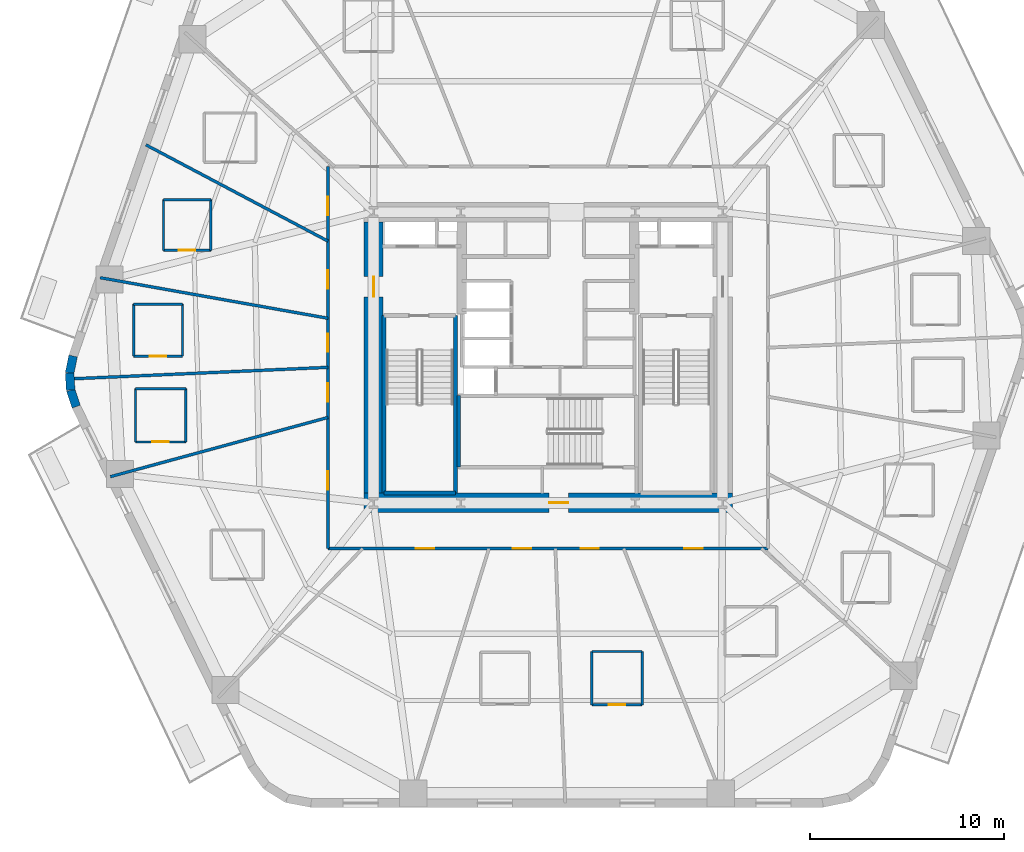
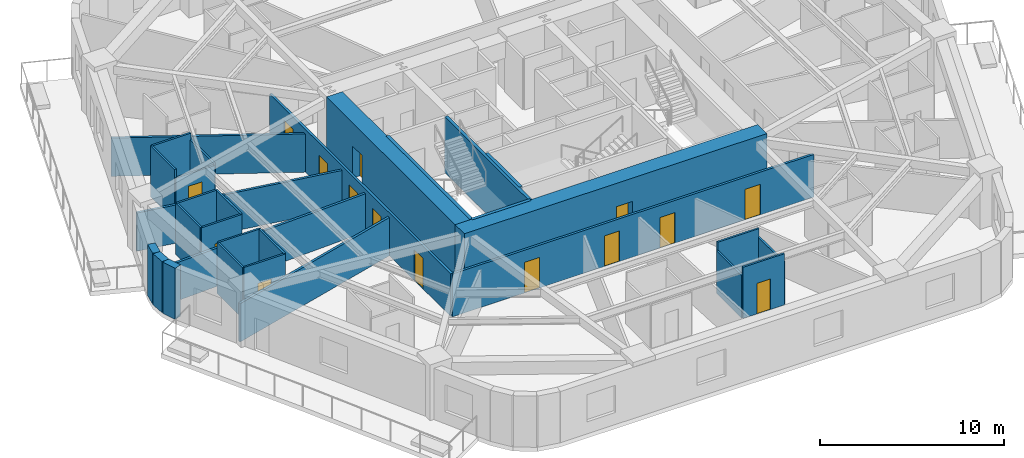
# One storey, part 3 of 10: 31 walls, 15 doors, 15 openings.
"""IFC4 building model written with IfcOpenShell, lengths in metres."""

from ifc_helpers import new_model, si_unit, direction, frame, frame_2d, origin, place, context, subcontext, project, spatial, rectangle, extrude, material, layer, layer_set, type_object, element, fill, save


model = new_model("IFC4")

# Units and contexts
model_context = context("Model", 3, precision=1e-05, world=origin(), true_north=direction((0.0, 1.0)))
body_context = subcontext(model_context, "Body", "Model", "MODEL_VIEW")
ifc_project = project(units=[si_unit("LENGTHUNIT", "METRE"), si_unit("AREAUNIT", "SQUARE_METRE"), si_unit("VOLUMEUNIT", "CUBIC_METRE"), si_unit("PLANEANGLEUNIT", "RADIAN"), si_unit("MASSUNIT", "GRAM", prefix="KILO")], contexts=[model_context])

# Site, building, storey
site_placement = place(None, origin())
site = spatial("IfcSite", under=ifc_project, at=site_placement, CompositionType="ELEMENT")
building_placement = place(site_placement, origin())
building = spatial("IfcBuilding", under=site, at=building_placement, Name="Kilnhurst Terrace Hotel", CompositionType="ELEMENT")
storey_placement = place(building_placement, frame((0.0, 0.0, 49.0)))
storey = spatial("IfcBuildingStorey", under=building, at=storey_placement, Name="L10", CompositionType="ELEMENT", Elevation=49.0)

# Walls
ifc_material_1 = material(Name="Precast concrete C40/50", Category="concrete")
ifc_layer_1 = layer(ifc_material_1, 0.449951171875, Name="Precast concrete C40/50")
ifc_layer_set_1 = layer_set([ifc_layer_1], Name="Precast concrete C40/50")
wall_type_1 = type_object("IfcWallType", Name="WL-BRK-450", PredefinedType="SOLIDWALL", material=ifc_layer_set_1)
wall_1_placement = place(storey_placement, frame((-24.49560546875, 0.07666015625, 0.0), z_axis=(0.0, 0.0, 1.0), x_axis=(-0.199570594521, -0.979883451132, 0.0)))
element("IfcWall", 1, at=wall_1_placement, inside=storey, type_object=wall_type_1, Name="L10 Rounded Corner Brick Wall C6.1", PredefinedType="SOLIDWALL", context=body_context, shape_type="SweptSolid", body=[
    extrude(rectangle(XDim=0.896728515625, YDim=0.449951171875, at=frame_2d((0.4482421875, 0.0))), origin(), (0.0, 0.0, 1.0), 3.39990234375),
])
wall_2_placement = place(storey_placement, frame((-24.674560546875, -0.802001953125, 0.0), z_axis=(0.0, 0.0, 1.0), x_axis=(0.061188874166, -0.998126205286, 0.0)))
element("IfcWall", 2, at=wall_2_placement, inside=storey, type_object=wall_type_1, Name="L10 Rounded Corner Brick Wall C6.2", PredefinedType="SOLIDWALL", context=body_context, shape_type="SweptSolid", body=[
    extrude(rectangle(XDim=0.8818359375, YDim=0.449951171875, at=frame_2d((0.44091796875, 0.0))), origin(), (0.0, 0.0, 1.0), 3.39990234375),
])
wall_3_placement = place(storey_placement, frame((-24.62060546875, -1.68212890625, 0.0), z_axis=(0.0, 0.0, 1.0), x_axis=(0.317697451681, -0.948192137278, 0.0)))
element("IfcWall", 3, at=wall_3_placement, inside=storey, type_object=wall_type_1, Name="L10 Rounded Corner Brick Wall C6.3", PredefinedType="SOLIDWALL", context=body_context, shape_type="SweptSolid", body=[
    extrude(rectangle(XDim=0.896728515625, YDim=0.449951171875, at=frame_2d((0.4482421875, 0.0))), origin(), (0.0, 0.0, 1.0), 3.39990234375),
])

# Wall, openings, doors
ifc_material_2 = material(Name="Acoustic Double-Gypsum Corridor Partition Assembly")
ifc_layer_2 = layer(ifc_material_2, 0.14990234375, Name="Acoustic Double-Gypsum Corridor Partition Assembly")
ifc_layer_set_2 = layer_set([ifc_layer_2], Name="Acoustic Double-Gypsum Corridor Partition Assembly")
wall_type_2 = type_object("IfcWallType", Name="WL-COR-150", PredefinedType="PARTITIONING", material=ifc_layer_set_2)
wall_4_placement = place(storey_placement, frame((-11.35009765625, -9.85009765625, 0.0), z_axis=(0.0, 0.0, 1.0), x_axis=(0.0, 1.0, 0.0)))
wall_4 = element("IfcWall", 4, at=wall_4_placement, inside=storey, type_object=wall_type_2, Name="L10 Interior Wall WL-L10-COR-01", PredefinedType="PARTITIONING", context=body_context, shape_type="SweptSolid", body=[
    extrude(rectangle(XDim=19.7001953125, YDim=0.14990234375, at=frame_2d((9.85009765625, 0.0))), origin(), (0.0, 0.0, 1.0), 2.840087890625),
])
opening_1_placement = place(wall_4_placement, frame((17.180908203125, 0.0, 0.0)))
opening_1 = element("IfcOpeningElement", 5, at=opening_1_placement, cuts=wall_4, Name="Opening D-60B", PredefinedType="OPENING", context=body_context, shape_type="SweptSolid", body=[
    extrude(rectangle(XDim=0.949951171875, YDim=2.030029296875, at=frame_2d((0.47509765625, 1.01513671875))), frame((0.0, 0.0849609375, 0.0), z_axis=(0.0, -1.0, 0.0), x_axis=(1.0, 0.0, 0.0)), (0.0, 0.0, 1.0), 0.169921875),
])
opening_2_placement = place(wall_4_placement, frame((13.403076171875, 0.0, 0.0)))
opening_2 = element("IfcOpeningElement", 6, at=opening_2_placement, cuts=wall_4, Name="Opening D-60B", PredefinedType="OPENING", context=body_context, shape_type="SweptSolid", body=[
    extrude(rectangle(XDim=0.949951171875, YDim=2.030029296875, at=frame_2d((0.47509765625, 1.01513671875))), frame((0.0, 0.0849609375, 0.0), z_axis=(0.0, -1.0, 0.0), x_axis=(1.0, 0.0, 0.0)), (0.0, 0.0, 1.0), 0.169921875),
])
opening_3_placement = place(wall_4_placement, frame((10.134033203125, 0.0, 0.0)))
opening_3 = element("IfcOpeningElement", 7, at=opening_3_placement, cuts=wall_4, Name="Opening D-60B", PredefinedType="OPENING", context=body_context, shape_type="SweptSolid", body=[
    extrude(rectangle(XDim=0.949951171875, YDim=2.030029296875, at=frame_2d((0.47509765625, 1.01513671875))), frame((0.0, 0.0849609375, 0.0), z_axis=(0.0, -1.0, 0.0), x_axis=(1.0, 0.0, 0.0)), (0.0, 0.0, 1.0), 0.169921875),
])
opening_4_placement = place(wall_4_placement, frame((7.571044921875, 0.0, 0.0)))
opening_4 = element("IfcOpeningElement", 8, at=opening_4_placement, cuts=wall_4, Name="Opening D-60B", PredefinedType="OPENING", context=body_context, shape_type="SweptSolid", body=[
    extrude(rectangle(XDim=0.949951171875, YDim=2.030029296875, at=frame_2d((0.47509765625, 1.01513671875))), frame((0.0, 0.0849609375, 0.0), z_axis=(0.0, -1.0, 0.0), x_axis=(1.0, 0.0, 0.0)), (0.0, 0.0, 1.0), 0.169921875),
])
opening_5_placement = place(wall_4_placement, frame((3.02392578125, 0.0, 0.0)))
opening_5 = element("IfcOpeningElement", 9, at=opening_5_placement, cuts=wall_4, Name="Opening D-60B", PredefinedType="OPENING", context=body_context, shape_type="SweptSolid", body=[
    extrude(rectangle(XDim=0.949951171875, YDim=2.030029296875, at=frame_2d((0.47509765625, 1.01513671875))), frame((0.0, 0.0849609375, 0.0), z_axis=(0.0, -1.0, 0.0), x_axis=(1.0, 0.0, 0.0)), (0.0, 0.0, 1.0), 0.169921875),
])
ifc_material_3 = material(Name="Acoustic Walnut Veneer Solid-Core Fire Door")
door_type_1 = type_object("IfcDoorType", Name="DR-FD60-950", OperationType="NOTDEFINED", PredefinedType="DOOR", material=ifc_material_3)
door_1_placement = place(opening_1_placement, origin())
door_1 = element("IfcDoor", 10, at=door_1_placement, inside=storey, type_object=door_type_1, Name="L10 Guest Room Entry Door 8", OperationType="SINGLE_SWING_RIGHT", OverallHeight=2.030029296875, OverallWidth=0.949951171875, PredefinedType="DOOR", context=body_context, shape_type="SweptSolid", body=[
    extrude(rectangle(XDim=0.949951171875, YDim=2.030029296875, at=frame_2d((0.47509765625, 1.01513671875))), frame((0.0, 0.02490234375, 0.0), z_axis=(0.0, -1.0, 0.0), x_axis=(1.0, 0.0, 0.0)), (0.0, 0.0, 1.0), 0.050048828125),
])
fill(opening_1, door_1)
door_2_placement = place(opening_2_placement, origin())
door_2 = element("IfcDoor", 11, at=door_2_placement, inside=storey, type_object=door_type_1, Name="L10 Guest Room Entry Door 9", OperationType="SINGLE_SWING_LEFT", OverallHeight=2.030029296875, OverallWidth=0.949951171875, PredefinedType="DOOR", context=body_context, shape_type="SweptSolid", body=[
    extrude(rectangle(XDim=0.949951171875, YDim=2.030029296875, at=frame_2d((0.47509765625, 1.01513671875))), frame((0.0, 0.02490234375, 0.0), z_axis=(0.0, -1.0, 0.0), x_axis=(1.0, 0.0, 0.0)), (0.0, 0.0, 1.0), 0.050048828125),
])
fill(opening_2, door_2)
door_3_placement = place(opening_3_placement, origin())
door_3 = element("IfcDoor", 12, at=door_3_placement, inside=storey, type_object=door_type_1, Name="L10 Guest Room Entry Door 10", OperationType="SINGLE_SWING_RIGHT", OverallHeight=2.030029296875, OverallWidth=0.949951171875, PredefinedType="DOOR", context=body_context, shape_type="SweptSolid", body=[
    extrude(rectangle(XDim=0.949951171875, YDim=2.030029296875, at=frame_2d((0.47509765625, 1.01513671875))), frame((0.0, 0.02490234375, 0.0), z_axis=(0.0, -1.0, 0.0), x_axis=(1.0, 0.0, 0.0)), (0.0, 0.0, 1.0), 0.050048828125),
])
fill(opening_3, door_3)
door_4_placement = place(opening_4_placement, origin())
door_4 = element("IfcDoor", 13, at=door_4_placement, inside=storey, type_object=door_type_1, Name="L10 Guest Room Entry Door 11", OperationType="SINGLE_SWING_LEFT", OverallHeight=2.030029296875, OverallWidth=0.949951171875, PredefinedType="DOOR", context=body_context, shape_type="SweptSolid", body=[
    extrude(rectangle(XDim=0.949951171875, YDim=2.030029296875, at=frame_2d((0.47509765625, 1.01513671875))), frame((0.0, 0.02490234375, 0.0), z_axis=(0.0, -1.0, 0.0), x_axis=(1.0, 0.0, 0.0)), (0.0, 0.0, 1.0), 0.050048828125),
])
fill(opening_4, door_4)
door_5_placement = place(opening_5_placement, origin())
door_5 = element("IfcDoor", 14, at=door_5_placement, inside=storey, type_object=door_type_1, Name="L10 Executive Suite Entry Door 12", OperationType="SINGLE_SWING_RIGHT", OverallHeight=2.030029296875, OverallWidth=0.949951171875, PredefinedType="DOOR", context=body_context, shape_type="SweptSolid", body=[
    extrude(rectangle(XDim=0.949951171875, YDim=2.030029296875, at=frame_2d((0.47509765625, 1.01513671875))), frame((0.0, 0.02490234375, 0.0), z_axis=(0.0, -1.0, 0.0), x_axis=(1.0, 0.0, 0.0)), (0.0, 0.0, 1.0), 0.050048828125),
])
fill(opening_5, door_5)

wall_5_placement = place(storey_placement, frame((11.35009765625, -9.85009765625, 0.0), z_axis=(0.0, 0.0, 1.0), x_axis=(-1.0, 0.0, 0.0)))
wall_5 = element("IfcWall", 15, at=wall_5_placement, inside=storey, type_object=wall_type_2, Name="L10 Interior Wall WL-L10-COR-04", PredefinedType="PARTITIONING", context=body_context, shape_type="SweptSolid", body=[
    extrude(rectangle(XDim=22.7001953125, YDim=0.14990234375, at=frame_2d((11.35009765625, 0.0))), origin(), (0.0, 0.0, 1.0), 2.840087890625),
])
opening_6_placement = place(wall_5_placement, frame((17.22509765625, 0.0, 0.0)))
opening_6 = element("IfcOpeningElement", 16, at=opening_6_placement, cuts=wall_5, Name="Opening D-60B", PredefinedType="OPENING", context=body_context, shape_type="SweptSolid", body=[
    extrude(rectangle(XDim=0.949951171875, YDim=2.030029296875, at=frame_2d((0.47509765625, 1.01513671875))), frame((0.0, 0.0849609375, 0.0), z_axis=(0.0, -1.0, 0.0), x_axis=(1.0, 0.0, 0.0)), (0.0, 0.0, 1.0), 0.169921875),
])
opening_7_placement = place(wall_5_placement, frame((12.214111328125, 0.0, 0.0)))
opening_7 = element("IfcOpeningElement", 17, at=opening_7_placement, cuts=wall_5, Name="Opening D-60B", PredefinedType="OPENING", context=body_context, shape_type="SweptSolid", body=[
    extrude(rectangle(XDim=0.949951171875, YDim=2.030029296875, at=frame_2d((0.47509765625, 1.01513671875))), frame((0.0, 0.0849609375, 0.0), z_axis=(0.0, -1.0, 0.0), x_axis=(1.0, 0.0, 0.0)), (0.0, 0.0, 1.0), 0.169921875),
])
opening_8_placement = place(wall_5_placement, frame((8.72509765625, 0.0, 0.0)))
opening_8 = element("IfcOpeningElement", 18, at=opening_8_placement, cuts=wall_5, Name="Opening D-60B", PredefinedType="OPENING", context=body_context, shape_type="SweptSolid", body=[
    extrude(rectangle(XDim=0.949951171875, YDim=2.030029296875, at=frame_2d((0.47509765625, 1.01513671875))), frame((0.0, 0.0849609375, 0.0), z_axis=(0.0, -1.0, 0.0), x_axis=(1.0, 0.0, 0.0)), (0.0, 0.0, 1.0), 0.169921875),
])
opening_9_placement = place(wall_5_placement, frame((3.368896484375, 0.0, 0.0)))
opening_9 = element("IfcOpeningElement", 19, at=opening_9_placement, cuts=wall_5, Name="Opening D-60B", PredefinedType="OPENING", context=body_context, shape_type="SweptSolid", body=[
    extrude(rectangle(XDim=0.949951171875, YDim=2.030029296875, at=frame_2d((0.47509765625, 1.01513671875))), frame((0.0, 0.0849609375, 0.0), z_axis=(0.0, -1.0, 0.0), x_axis=(1.0, 0.0, 0.0)), (0.0, 0.0, 1.0), 0.169921875),
])
door_6_placement = place(opening_6_placement, origin())
door_6 = element("IfcDoor", 20, at=door_6_placement, inside=storey, type_object=door_type_1, Name="L10 Private Dining Salon Door", OperationType="SINGLE_SWING_LEFT", OverallHeight=2.030029296875, OverallWidth=0.949951171875, PredefinedType="DOOR", context=body_context, shape_type="SweptSolid", body=[
    extrude(rectangle(XDim=0.949951171875, YDim=2.030029296875, at=frame_2d((0.47509765625, 1.01513671875))), frame((0.0, 0.02490234375, 0.0), z_axis=(0.0, -1.0, 0.0), x_axis=(1.0, 0.0, 0.0)), (0.0, 0.0, 1.0), 0.050048828125),
])
fill(opening_6, door_6)
door_7_placement = place(opening_7_placement, origin())
door_7 = element("IfcDoor", 21, at=door_7_placement, inside=storey, type_object=door_type_1, Name="L10 Guest Room Entry Door 14", OperationType="SINGLE_SWING_RIGHT", OverallHeight=2.030029296875, OverallWidth=0.949951171875, PredefinedType="DOOR", context=body_context, shape_type="SweptSolid", body=[
    extrude(rectangle(XDim=0.949951171875, YDim=2.030029296875, at=frame_2d((0.47509765625, 1.01513671875))), frame((0.0, 0.02490234375, 0.0), z_axis=(0.0, -1.0, 0.0), x_axis=(1.0, 0.0, 0.0)), (0.0, 0.0, 1.0), 0.050048828125),
])
fill(opening_7, door_7)
door_8_placement = place(opening_8_placement, origin())
door_8 = element("IfcDoor", 22, at=door_8_placement, inside=storey, type_object=door_type_1, Name="L10 Guest Room Entry Door 15", OperationType="SINGLE_SWING_LEFT", OverallHeight=2.030029296875, OverallWidth=0.949951171875, PredefinedType="DOOR", context=body_context, shape_type="SweptSolid", body=[
    extrude(rectangle(XDim=0.949951171875, YDim=2.030029296875, at=frame_2d((0.47509765625, 1.01513671875))), frame((0.0, 0.02490234375, 0.0), z_axis=(0.0, -1.0, 0.0), x_axis=(1.0, 0.0, 0.0)), (0.0, 0.0, 1.0), 0.050048828125),
])
fill(opening_8, door_8)
door_9_placement = place(opening_9_placement, origin())
door_9 = element("IfcDoor", 23, at=door_9_placement, inside=storey, type_object=door_type_1, Name="L10 Executive Suite Entry Door 16", OperationType="SINGLE_SWING_RIGHT", OverallHeight=2.030029296875, OverallWidth=0.949951171875, PredefinedType="DOOR", context=body_context, shape_type="SweptSolid", body=[
    extrude(rectangle(XDim=0.949951171875, YDim=2.030029296875, at=frame_2d((0.47509765625, 1.01513671875))), frame((0.0, 0.02490234375, 0.0), z_axis=(0.0, -1.0, 0.0), x_axis=(1.0, 0.0, 0.0)), (0.0, 0.0, 1.0), 0.050048828125),
])
fill(opening_9, door_9)

# Wall, opening, door
ifc_material_4 = material(Name="Concrete C80/95", Category="concrete")
ifc_layer_3 = layer(ifc_material_4, 1.0, Name="Concrete C80/95")
ifc_layer_set_3 = layer_set([ifc_layer_3], Name="Concrete C80/95")
wall_type_3 = type_object("IfcWallType", Name="WL-CORE-1000", PredefinedType="SHEAR", material=ifc_layer_set_3)
wall_6_placement = place(storey_placement, frame((-9.5, -7.5, 0.0), z_axis=(0.0, 0.0, 1.0), x_axis=(1.0, 0.0, 0.0)))
wall_6 = element("IfcWall", 24, at=wall_6_placement, inside=storey, type_object=wall_type_3, Name="L10 Core South Shear Wall", PredefinedType="SHEAR", context=body_context, shape_type="SweptSolid", body=[
    extrude(rectangle(XDim=19.0, YDim=1.0, at=frame_2d((9.5, 0.0))), origin(), (0.0, 0.0, 1.0), 3.699951171875),
])
opening_10_placement = place(wall_6_placement, frame((9.550048828125, 0.0, 0.0)))
opening_10 = element("IfcOpeningElement", 25, at=opening_10_placement, cuts=wall_6, Name="Opening D-90B", PredefinedType="OPENING", context=body_context, shape_type="SweptSolid", body=[
    extrude(rectangle(XDim=1.0, YDim=2.14990234375, at=frame_2d((0.5, 1.074951171875))), frame((0.0, 0.510009765625, 0.0), z_axis=(0.0, -1.0, 0.0), x_axis=(1.0, 0.0, 0.0)), (0.0, 0.0, 1.0), 1.02001953125),
])
ifc_material_5 = material(Name="Painted Hollow Metal Steel ASTM A36 Fire Door", Category="steel")
door_type_2 = type_object("IfcDoorType", Name="DR-FD90-1000", OperationType="NOTDEFINED", PredefinedType="DOOR", material=ifc_material_5)
door_10_placement = place(opening_10_placement, origin())
door_10 = element("IfcDoor", 26, at=door_10_placement, inside=storey, type_object=door_type_2, Name="L10 Stair ST-3 Corridor Door", OperationType="SINGLE_SWING_RIGHT", OverallHeight=2.14990234375, OverallWidth=1.0, PredefinedType="DOOR", context=body_context, shape_type="SweptSolid", body=[
    extrude(rectangle(XDim=1.0, YDim=2.14990234375, at=frame_2d((0.5, 1.074951171875))), frame((0.0, 0.02490234375, 0.0), z_axis=(0.0, -1.0, 0.0), x_axis=(1.0, 0.0, 0.0)), (0.0, 0.0, 1.0), 0.050048828125),
])
fill(opening_10, door_10)

wall_7_placement = place(storey_placement, frame((-9.0, -7.0, 0.0), z_axis=(0.0, 0.0, 1.0), x_axis=(0.0, 1.0, 0.0)))
wall_7 = element("IfcWall", 27, at=wall_7_placement, inside=storey, type_object=wall_type_3, Name="L10 Core West Shear Wall", PredefinedType="SHEAR", context=body_context, shape_type="SweptSolid", body=[
    extrude(rectangle(XDim=14.0, YDim=1.0, at=frame_2d((7.0, 0.0))), origin(), (0.0, 0.0, 1.0), 3.699951171875),
])
opening_11_placement = place(wall_7_placement, frame((10.125, 0.0, 0.0)))
opening_11 = element("IfcOpeningElement", 28, at=opening_11_placement, cuts=wall_7, Name="Opening D-90A", PredefinedType="OPENING", context=body_context, shape_type="SweptSolid", body=[
    extrude(rectangle(XDim=1.050048828125, YDim=2.14990234375, at=frame_2d((0.52490234375, 1.074951171875))), frame((0.0, 0.510009765625, 0.0), z_axis=(0.0, -1.0, 0.0), x_axis=(1.0, 0.0, 0.0)), (0.0, 0.0, 1.0), 1.02001953125),
])
door_type_3 = type_object("IfcDoorType", Name="DR-FD90-1050", OperationType="NOTDEFINED", PredefinedType="DOOR", material=ifc_material_5)
door_11_placement = place(opening_11_placement, origin())
door_11 = element("IfcDoor", 29, at=door_11_placement, inside=storey, type_object=door_type_3, Name="L10 West Firefighting Lobby Door", OperationType="SINGLE_SWING_RIGHT", OverallHeight=2.14990234375, OverallWidth=1.050048828125, PredefinedType="DOOR", context=body_context, shape_type="SweptSolid", body=[
    extrude(rectangle(XDim=1.050048828125, YDim=2.14990234375, at=frame_2d((0.52490234375, 1.074951171875))), frame((0.0, 0.02490234375, 0.0), z_axis=(0.0, -1.0, 0.0), x_axis=(1.0, 0.0, 0.0)), (0.0, 0.0, 1.0), 0.050048828125),
])
fill(opening_11, door_11)

# Walls
ifc_material_6 = material(Name="STC-58 Acoustic Twin-Frame Guestroom Demising Partition")
ifc_layer_4 = layer(ifc_material_6, 0.14990234375, Name="STC-58 Acoustic Twin-Frame Guestroom Demising Partition")
ifc_layer_set_4 = layer_set([ifc_layer_4], Name="STC-58 Acoustic Twin-Frame Guestroom Demising Partition")
wall_type_4 = type_object("IfcWallType", Name="WL-DEM-150", PredefinedType="PARTITIONING", material=ifc_layer_set_4)
wall_8_placement = place(storey_placement, frame((-11.35009765625, 6.00146484375, 0.0), z_axis=(0.0, 0.0, 1.0), x_axis=(-0.884022077319, 0.467445148453, 0.0)))
element("IfcWall", 30, at=wall_8_placement, inside=storey, type_object=wall_type_4, Name="L10 Interior Wall WL-L10-DEM-MID05-09-1", PredefinedType="PARTITIONING", context=body_context, shape_type="SweptSolid", body=[
    extrude(rectangle(XDim=10.621337890625, YDim=0.14990234375, at=frame_2d((5.310546875, 0.0))), origin(), (0.0, 0.0, 1.0), 2.5400390625),
])
wall_9_placement = place(storey_placement, frame((-11.35009765625, 2.022705078125, 0.0), z_axis=(0.0, 0.0, 1.0), x_axis=(-0.984493741877, 0.17541970301, 0.0)))
element("IfcWall", 31, at=wall_9_placement, inside=storey, type_object=wall_type_4, Name="L10 Interior Wall WL-L10-DEM-COL06-10-1", PredefinedType="PARTITIONING", context=body_context, shape_type="SweptSolid", body=[
    extrude(rectangle(XDim=11.93701171875, YDim=0.14990234375, at=frame_2d((5.968505859375, 0.0))), origin(), (0.0, 0.0, 1.0), 2.5400390625),
])
wall_10_placement = place(storey_placement, frame((-11.35009765625, -0.50830078125, 0.0), z_axis=(0.0, 0.0, 1.0), x_axis=(-0.998998237556, -0.044749540337, 0.0)))
element("IfcWall", 32, at=wall_10_placement, inside=storey, type_object=wall_type_4, Name="L10 Interior Wall WL-L10-DEM-MID06-11-1", PredefinedType="PARTITIONING", context=body_context, shape_type="SweptSolid", body=[
    extrude(rectangle(XDim=13.1591796875, YDim=0.14990234375, at=frame_2d((6.57958984375, 0.0))), origin(), (0.0, 0.0, 1.0), 2.5400390625),
])
wall_11_placement = place(storey_placement, frame((-11.35009765625, -3.0908203125, 0.0), z_axis=(0.0, 0.0, 1.0), x_axis=(-0.964859685283, -0.262765651704, 0.0)))
element("IfcWall", 33, at=wall_11_placement, inside=storey, type_object=wall_type_4, Name="L10 Interior Wall WL-L10-DEM-COL07-12-1", PredefinedType="PARTITIONING", context=body_context, shape_type="SweptSolid", body=[
    extrude(rectangle(XDim=11.62890625, YDim=0.14990234375, at=frame_2d((5.814453125, 0.0))), origin(), (0.0, 0.0, 1.0), 2.5400390625),
])

# Wall, opening, door
ifc_material_7 = material(Name="120 mm Moisture-Resistant Tile-Backed Bathroom Partition")
ifc_layer_5 = layer(ifc_material_7, 0.1201171875, Name="120 mm Moisture-Resistant Tile-Backed Bathroom Partition")
ifc_layer_set_5 = layer_set([ifc_layer_5], Name="120 mm Moisture-Resistant Tile-Backed Bathroom Partition")
wall_type_5 = type_object("IfcWallType", Name="WL-PART-120", PredefinedType="PARTITIONING", material=ifc_layer_set_5)
wall_12_placement = place(storey_placement, frame((-19.833984375, 5.528076171875, 0.0), z_axis=(0.0, 0.0, 1.0), x_axis=(1.0, 0.0, 0.0)))
wall_12 = element("IfcWall", 34, at=wall_12_placement, inside=storey, type_object=wall_type_5, Name="L10 Interior Wall WL-L10-BTH-09-1", PredefinedType="PARTITIONING", context=body_context, shape_type="SweptSolid", body=[
    extrude(rectangle(XDim=2.43994140625, YDim=0.1201171875, at=frame_2d((1.219970703125, 0.0))), origin(), (0.0, 0.0, 1.0), 2.840087890625),
])
opening_12_placement = place(wall_12_placement, frame((0.794921875, 0.0, 0.0)))
opening_12 = element("IfcOpeningElement", 35, at=opening_12_placement, cuts=wall_12, Name="Opening D-08A", PredefinedType="OPENING", context=body_context, shape_type="SweptSolid", body=[
    extrude(rectangle(XDim=0.85009765625, YDim=2.030029296875, at=frame_2d((0.425048828125, 1.01513671875))), frame((0.0, 0.070068359375, 0.0), z_axis=(0.0, -1.0, 0.0), x_axis=(1.0, 0.0, 0.0)), (0.0, 0.0, 1.0), 0.14013671875),
])
ifc_material_8 = material(Name="Moisture-Resistant Lacquered En-suite Bathroom Door")
door_type_4 = type_object("IfcDoorType", Name="DR-INT-850", OperationType="NOTDEFINED", PredefinedType="DOOR", material=ifc_material_8)
door_12_placement = place(opening_12_placement, origin())
door_12 = element("IfcDoor", 36, at=door_12_placement, inside=storey, type_object=door_type_4, Name="L10 En-suite Bathroom Door 9", OperationType="SINGLE_SWING_RIGHT", OverallHeight=2.030029296875, OverallWidth=0.85009765625, PredefinedType="DOOR", context=body_context, shape_type="SweptSolid", body=[
    extrude(rectangle(XDim=0.85009765625, YDim=2.030029296875, at=frame_2d((0.425048828125, 1.01513671875))), frame((0.0, 0.02490234375, 0.0), z_axis=(0.0, -1.0, 0.0), x_axis=(1.0, 0.0, 0.0)), (0.0, 0.0, 1.0), 0.050048828125),
])
fill(opening_12, door_12)

# Walls
wall_13_placement = place(storey_placement, frame((-17.39404296875, 5.528076171875, 0.0), z_axis=(0.0, 0.0, 1.0), x_axis=(0.0, 1.0, 0.0)))
element("IfcWall", 37, at=wall_13_placement, inside=storey, type_object=wall_type_5, Name="L10 Interior Wall WL-L10-BTH-09-2", PredefinedType="PARTITIONING", context=body_context, shape_type="SweptSolid", body=[
    extrude(rectangle(XDim=2.60986328125, YDim=0.1201171875, at=frame_2d((1.304931640625, 0.0))), origin(), (0.0, 0.0, 1.0), 2.972412109375),
])
wall_14_placement = place(storey_placement, frame((-17.39404296875, 8.137939453125, 0.0), z_axis=(0.0, 0.0, 1.0), x_axis=(-1.0, 0.0, 0.0)))
element("IfcWall", 38, at=wall_14_placement, inside=storey, type_object=wall_type_5, Name="L10 Interior Wall WL-L10-BTH-09-3", PredefinedType="PARTITIONING", context=body_context, shape_type="SweptSolid", body=[
    extrude(rectangle(XDim=2.43994140625, YDim=0.1201171875, at=frame_2d((1.219970703125, 0.0))), origin(), (0.0, 0.0, 1.0), 3.39990234375),
])
wall_15_placement = place(storey_placement, frame((-19.833984375, 8.137939453125, 0.0), z_axis=(0.0, 0.0, 1.0), x_axis=(0.0, -1.0, 0.0)))
element("IfcWall", 39, at=wall_15_placement, inside=storey, type_object=wall_type_5, Name="L10 Interior Wall WL-L10-BTH-09-4", PredefinedType="PARTITIONING", context=body_context, shape_type="SweptSolid", body=[
    extrude(rectangle(XDim=2.60986328125, YDim=0.1201171875, at=frame_2d((1.304931640625, 0.0))), origin(), (0.0, 0.0, 1.0), 3.39990234375),
])

# Wall, opening, door
wall_16_placement = place(storey_placement, frame((-21.3740234375, 0.06689453125, 0.0), z_axis=(0.0, 0.0, 1.0), x_axis=(1.0, 0.0, 0.0)))
wall_16 = element("IfcWall", 40, at=wall_16_placement, inside=storey, type_object=wall_type_5, Name="L10 Interior Wall WL-L10-BTH-10-1", PredefinedType="PARTITIONING", context=body_context, shape_type="SweptSolid", body=[
    extrude(rectangle(XDim=2.52001953125, YDim=0.1201171875, at=frame_2d((1.260009765625, 0.0))), origin(), (0.0, 0.0, 1.0), 3.39990234375),
])
opening_13_placement = place(wall_16_placement, frame((0.8349609375, 0.0, 0.0)))
opening_13 = element("IfcOpeningElement", 41, at=opening_13_placement, cuts=wall_16, Name="Opening D-08A", PredefinedType="OPENING", context=body_context, shape_type="SweptSolid", body=[
    extrude(rectangle(XDim=0.85009765625, YDim=2.030029296875, at=frame_2d((0.425048828125, 1.01513671875))), frame((0.0, 0.070068359375, 0.0), z_axis=(0.0, -1.0, 0.0), x_axis=(1.0, 0.0, 0.0)), (0.0, 0.0, 1.0), 0.14013671875),
])
door_13_placement = place(opening_13_placement, origin())
door_13 = element("IfcDoor", 42, at=door_13_placement, inside=storey, type_object=door_type_4, Name="L10 En-suite Bathroom Door 10", OperationType="SINGLE_SWING_LEFT", OverallHeight=2.030029296875, OverallWidth=0.85009765625, PredefinedType="DOOR", context=body_context, shape_type="SweptSolid", body=[
    extrude(rectangle(XDim=0.85009765625, YDim=2.030029296875, at=frame_2d((0.425048828125, 1.01513671875))), frame((0.0, 0.02490234375, 0.0), z_axis=(0.0, -1.0, 0.0), x_axis=(1.0, 0.0, 0.0)), (0.0, 0.0, 1.0), 0.050048828125),
])
fill(opening_13, door_13)

# Walls
wall_17_placement = place(storey_placement, frame((-18.85400390625, 0.06689453125, 0.0), z_axis=(0.0, 0.0, 1.0), x_axis=(0.0, 1.0, 0.0)))
element("IfcWall", 43, at=wall_17_placement, inside=storey, type_object=wall_type_5, Name="L10 Interior Wall WL-L10-BTH-10-2", PredefinedType="PARTITIONING", context=body_context, shape_type="SweptSolid", body=[
    extrude(rectangle(XDim=2.68017578125, YDim=0.1201171875, at=frame_2d((1.340087890625, 0.0))), origin(), (0.0, 0.0, 1.0), 3.39990234375),
])
wall_18_placement = place(storey_placement, frame((-18.85400390625, 2.7470703125, 0.0), z_axis=(0.0, 0.0, 1.0), x_axis=(-1.0, 0.0, 0.0)))
element("IfcWall", 44, at=wall_18_placement, inside=storey, type_object=wall_type_5, Name="L10 Interior Wall WL-L10-BTH-10-3", PredefinedType="PARTITIONING", context=body_context, shape_type="SweptSolid", body=[
    extrude(rectangle(XDim=2.52001953125, YDim=0.1201171875, at=frame_2d((1.260009765625, 0.0))), origin(), (0.0, 0.0, 1.0), 3.39990234375),
])
wall_19_placement = place(storey_placement, frame((-21.3740234375, 2.7470703125, 0.0), z_axis=(0.0, 0.0, 1.0), x_axis=(0.0, -1.0, 0.0)))
element("IfcWall", 45, at=wall_19_placement, inside=storey, type_object=wall_type_5, Name="L10 Interior Wall WL-L10-BTH-10-4", PredefinedType="PARTITIONING", context=body_context, shape_type="SweptSolid", body=[
    extrude(rectangle(XDim=2.68017578125, YDim=0.1201171875, at=frame_2d((1.340087890625, 0.0))), origin(), (0.0, 0.0, 1.0), 3.39990234375),
])

# Wall, opening, door
wall_20_placement = place(storey_placement, frame((-21.280029296875, -4.35595703125, 0.0), z_axis=(0.0, 0.0, 1.0), x_axis=(1.0, 0.0, 0.0)))
wall_20 = element("IfcWall", 46, at=wall_20_placement, inside=storey, type_object=wall_type_5, Name="L10 Interior Wall WL-L10-BTH-11-1", PredefinedType="PARTITIONING", context=body_context, shape_type="SweptSolid", body=[
    extrude(rectangle(XDim=2.60009765625, YDim=0.1201171875, at=frame_2d((1.300048828125, 0.0))), origin(), (0.0, 0.0, 1.0), 3.39990234375),
])
opening_14_placement = place(wall_20_placement, frame((0.875, 0.0, 0.0)))
opening_14 = element("IfcOpeningElement", 47, at=opening_14_placement, cuts=wall_20, Name="Opening D-08A", PredefinedType="OPENING", context=body_context, shape_type="SweptSolid", body=[
    extrude(rectangle(XDim=0.85009765625, YDim=2.030029296875, at=frame_2d((0.425048828125, 1.01513671875))), frame((0.0, 0.070068359375, 0.0), z_axis=(0.0, -1.0, 0.0), x_axis=(1.0, 0.0, 0.0)), (0.0, 0.0, 1.0), 0.14013671875),
])
door_14_placement = place(opening_14_placement, origin())
door_14 = element("IfcDoor", 48, at=door_14_placement, inside=storey, type_object=door_type_4, Name="L10 En-suite Bathroom Door 11", OperationType="SINGLE_SWING_RIGHT", OverallHeight=2.030029296875, OverallWidth=0.85009765625, PredefinedType="DOOR", context=body_context, shape_type="SweptSolid", body=[
    extrude(rectangle(XDim=0.85009765625, YDim=2.030029296875, at=frame_2d((0.425048828125, 1.01513671875))), frame((0.0, 0.02490234375, 0.0), z_axis=(0.0, -1.0, 0.0), x_axis=(1.0, 0.0, 0.0)), (0.0, 0.0, 1.0), 0.050048828125),
])
fill(opening_14, door_14)

# Walls
wall_21_placement = place(storey_placement, frame((-18.679931640625, -4.35595703125, 0.0), z_axis=(0.0, 0.0, 1.0), x_axis=(0.0, 1.0, 0.0)))
element("IfcWall", 49, at=wall_21_placement, inside=storey, type_object=wall_type_5, Name="L10 Interior Wall WL-L10-BTH-11-2", PredefinedType="PARTITIONING", context=body_context, shape_type="SweptSolid", body=[
    extrude(rectangle(XDim=2.75, YDim=0.1201171875, at=frame_2d((1.375, 0.0))), origin(), (0.0, 0.0, 1.0), 3.39990234375),
])
wall_22_placement = place(storey_placement, frame((-18.679931640625, -1.60595703125, 0.0), z_axis=(0.0, 0.0, 1.0), x_axis=(-1.0, 0.0, 0.0)))
element("IfcWall", 50, at=wall_22_placement, inside=storey, type_object=wall_type_5, Name="L10 Interior Wall WL-L10-BTH-11-3", PredefinedType="PARTITIONING", context=body_context, shape_type="SweptSolid", body=[
    extrude(rectangle(XDim=2.60009765625, YDim=0.1201171875, at=frame_2d((1.300048828125, 0.0))), origin(), (0.0, 0.0, 1.0), 3.39990234375),
])
wall_23_placement = place(storey_placement, frame((-21.280029296875, -1.60595703125, 0.0), z_axis=(0.0, 0.0, 1.0), x_axis=(0.0, -1.0, 0.0)))
element("IfcWall", 51, at=wall_23_placement, inside=storey, type_object=wall_type_5, Name="L10 Interior Wall WL-L10-BTH-11-4", PredefinedType="PARTITIONING", context=body_context, shape_type="SweptSolid", body=[
    extrude(rectangle(XDim=2.75, YDim=0.1201171875, at=frame_2d((1.375, 0.0))), origin(), (0.0, 0.0, 1.0), 3.39990234375),
])

# Wall, opening, door
wall_24_placement = place(storey_placement, frame((2.2548828125, -17.912109375, 0.0), z_axis=(0.0, 0.0, 1.0), x_axis=(1.0, 0.0, 0.0)))
wall_24 = element("IfcWall", 52, at=wall_24_placement, inside=storey, type_object=wall_type_5, Name="L10 Interior Wall WL-L10-BTH-15-1", PredefinedType="PARTITIONING", context=body_context, shape_type="SweptSolid", body=[
    extrude(rectangle(XDim=2.60009765625, YDim=0.1201171875, at=frame_2d((1.300048828125, 0.0))), origin(), (0.0, 0.0, 1.0), 3.39990234375),
])
opening_15_placement = place(wall_24_placement, frame((0.875, 0.0, 0.0)))
opening_15 = element("IfcOpeningElement", 53, at=opening_15_placement, cuts=wall_24, Name="Opening D-08A", PredefinedType="OPENING", context=body_context, shape_type="SweptSolid", body=[
    extrude(rectangle(XDim=0.85009765625, YDim=2.030029296875, at=frame_2d((0.425048828125, 1.01513671875))), frame((0.0, 0.070068359375, 0.0), z_axis=(0.0, -1.0, 0.0), x_axis=(1.0, 0.0, 0.0)), (0.0, 0.0, 1.0), 0.14013671875),
])
door_15_placement = place(opening_15_placement, origin())
door_15 = element("IfcDoor", 54, at=door_15_placement, inside=storey, type_object=door_type_4, Name="L10 En-suite Bathroom Door 15", OperationType="SINGLE_SWING_RIGHT", OverallHeight=2.030029296875, OverallWidth=0.85009765625, PredefinedType="DOOR", context=body_context, shape_type="SweptSolid", body=[
    extrude(rectangle(XDim=0.85009765625, YDim=2.030029296875, at=frame_2d((0.425048828125, 1.01513671875))), frame((0.0, 0.02490234375, 0.0), z_axis=(0.0, -1.0, 0.0), x_axis=(1.0, 0.0, 0.0)), (0.0, 0.0, 1.0), 0.050048828125),
])
fill(opening_15, door_15)

# Walls
wall_25_placement = place(storey_placement, frame((4.85498046875, -17.912109375, 0.0), z_axis=(0.0, 0.0, 1.0), x_axis=(0.0, 1.0, 0.0)))
element("IfcWall", 55, at=wall_25_placement, inside=storey, type_object=wall_type_5, Name="L10 Interior Wall WL-L10-BTH-15-2", PredefinedType="PARTITIONING", context=body_context, shape_type="SweptSolid", body=[
    extrude(rectangle(XDim=2.75, YDim=0.1201171875, at=frame_2d((1.375, 0.0))), origin(), (0.0, 0.0, 1.0), 2.840576171875),
])
wall_26_placement = place(storey_placement, frame((4.85498046875, -15.162109375, 0.0), z_axis=(0.0, 0.0, 1.0), x_axis=(-1.0, 0.0, 0.0)))
element("IfcWall", 56, at=wall_26_placement, inside=storey, type_object=wall_type_5, Name="L10 Interior Wall WL-L10-BTH-15-3", PredefinedType="PARTITIONING", context=body_context, shape_type="SweptSolid", body=[
    extrude(rectangle(XDim=2.60009765625, YDim=0.1201171875, at=frame_2d((1.300048828125, 0.0))), origin(), (0.0, 0.0, 1.0), 3.39990234375),
])
wall_27_placement = place(storey_placement, frame((2.2548828125, -15.162109375, 0.0), z_axis=(0.0, 0.0, 1.0), x_axis=(0.0, -1.0, 0.0)))
element("IfcWall", 57, at=wall_27_placement, inside=storey, type_object=wall_type_5, Name="L10 Interior Wall WL-L10-BTH-15-4", PredefinedType="PARTITIONING", context=body_context, shape_type="SweptSolid", body=[
    extrude(rectangle(XDim=2.75, YDim=0.1201171875, at=frame_2d((1.375, 0.0))), origin(), (0.0, 0.0, 1.0), 2.840576171875),
])
ifc_material_9 = material(Name="Concrete C50/60", Category="concrete")
ifc_layer_6 = layer(ifc_material_9, 0.199951171875, Name="Concrete C50/60")
ifc_layer_set_6 = layer_set([ifc_layer_6], Name="Concrete C50/60")
wall_type_6 = type_object("IfcWallType", Name="WL-STAIR-RC-200", PredefinedType="SHEAR", material=ifc_layer_set_6)
for number, where, z_axis, x_axis, name in (
    (58, (-8.4580078125, -6.985107421875, 0.0), (0.0, 0.0, 1.0), (0.0, 1.0, 0.0), "L10 Structural Stair Shaft Wall WL-L10-ST1-W"),
    (59, (-4.77197265625, -6.985107421875, 0.0), (0.0, 0.0, 1.0), (0.0, 1.0, 0.0), "L10 Structural Stair Shaft Wall WL-L10-ST1-E"),
):
    element("IfcWall", number, at=place(storey_placement, frame(where, z_axis=z_axis, x_axis=x_axis)), inside=storey, type_object=wall_type_6, Name=name, PredefinedType="SHEAR", context=body_context, shape_type="SweptSolid", body=[
        extrude(rectangle(XDim=9.14306640625, YDim=0.199951171875, at=frame_2d((4.571533203125, 0.0))), origin(), (0.0, 0.0, 1.0), 3.699951171875),
    ])
for number, where, z_axis, x_axis, name in (
    (60, (-8.4580078125, -6.985107421875, 0.0), (0.0, 0.0, 1.0), (1.0, 0.0, 0.0), "L10 Structural Stair Shaft Wall WL-L10-ST1-S"),
    (61, (-4.60791015625, -5.657958984375, 0.0), (0.0, 0.0, 1.0), (0.0, 1.0, 0.0), "L10 Structural Stair Shaft Wall WL-L10-ST3-W"),
):
    element("IfcWall", number, at=place(storey_placement, frame(where, z_axis=z_axis, x_axis=x_axis)), inside=storey, type_object=wall_type_6, Name=name, PredefinedType="SHEAR", context=body_context, shape_type="SweptSolid", body=[
        extrude(rectangle(XDim=3.68603515625, YDim=0.199951171875, at=frame_2d((1.843017578125, 0.0))), origin(), (0.0, 0.0, 1.0), 3.699951171875),
    ])

save(model, "model.ifc")
